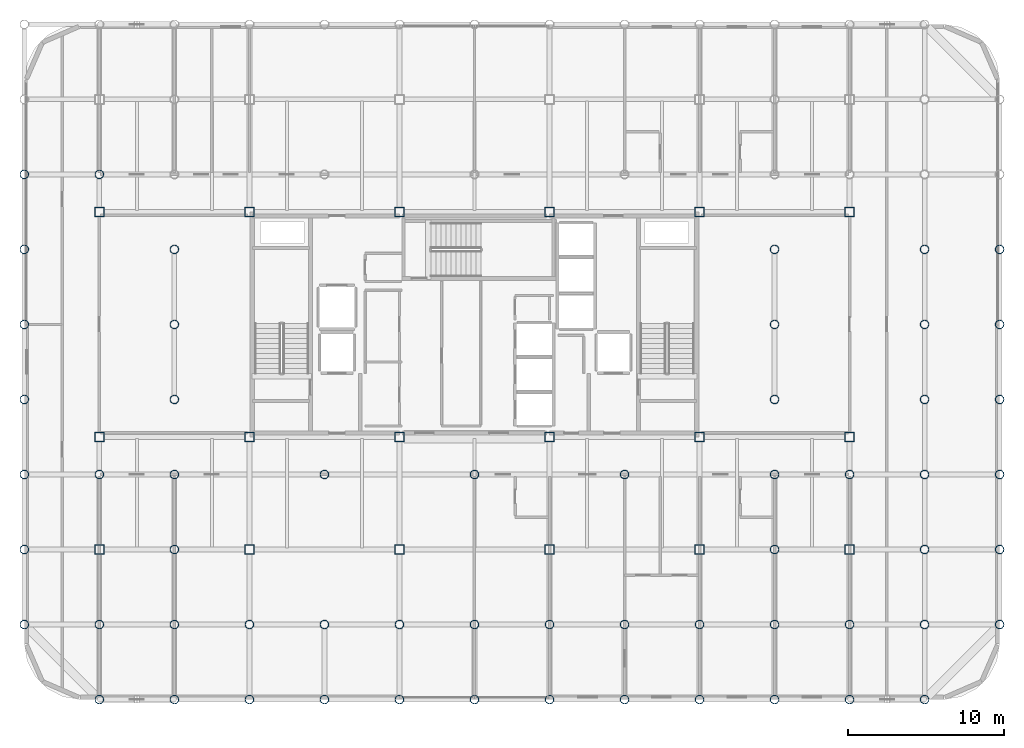
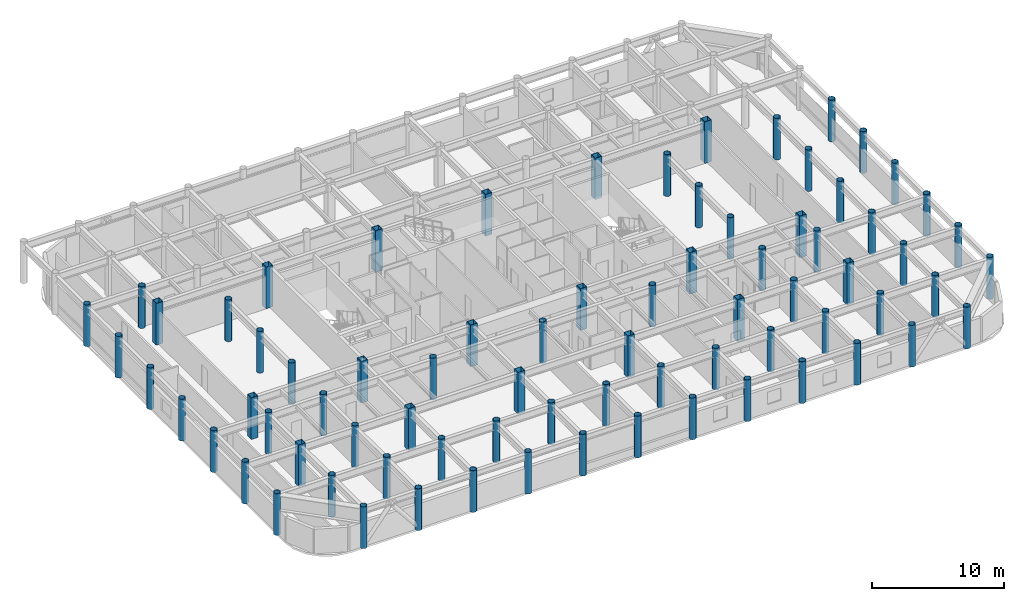
# One storey, part 1 of 21: 76 columns.
"""IFC4 building model written with IfcOpenShell, lengths in metres."""

from ifc_helpers import new_model, si_unit, direction, frame, origin, origin_2d, place, context, subcontext, project, spatial, hollow_rectangle, hollow_circle, extrude, material, material_profile, profile_set, type_object, element, save


model = new_model("IFC4")

# Units and contexts
model_context = context("Model", 3, precision=1e-05, world=origin(), true_north=direction((0.0, 1.0)))
body_context = subcontext(model_context, "Body", "Model", "MODEL_VIEW")
ifc_project = project(units=[si_unit("LENGTHUNIT", "METRE"), si_unit("AREAUNIT", "SQUARE_METRE"), si_unit("VOLUMEUNIT", "CUBIC_METRE"), si_unit("PLANEANGLEUNIT", "RADIAN"), si_unit("MASSUNIT", "GRAM", prefix="KILO")], contexts=[model_context])

# Site, building, storey
site_placement = place(None, origin())
site = spatial("IfcSite", under=ifc_project, at=site_placement, CompositionType="ELEMENT")
building_placement = place(site_placement, origin())
building = spatial("IfcBuilding", under=site, at=building_placement, Name="Kallvorn Hotel Tower", CompositionType="ELEMENT")
storey_placement = place(building_placement, frame((0.0, 0.0, 210.75)))
storey = spatial("IfcBuildingStorey", under=building, at=storey_placement, Name="L52", CompositionType="ELEMENT", Elevation=210.75)

# Columns
ifc_material_1 = material(Name="Structural steel S355J2H", Category="steel")
ifc_material_profile_1 = material_profile(ifc_material_1, hollow_circle(Radius=0.279541015625, WallThickness=0.02490234375, at=origin_2d()), Name="CHS 559x25")
ifc_profile_set_1 = profile_set([ifc_material_profile_1], Name="Structural steel S355J2H")
column_type_1 = type_object("IfcColumnType", Name="COL_CHS_559", PredefinedType="COLUMN", material=ifc_profile_set_1)
for number, where, z_axis, x_axis, name in (
    (1, (-28.800048828125, -19.199951171875, 0.0), (0.0, 0.0, 1.0), (1.0, 0.0, 0.0), "L52 Exoskeleton Column EC01"),
    (2, (-28.800048828125, -14.39990234375, 0.0), (0.0, 0.0, 1.0), (1.0, 0.0, 0.0), "L52 Exoskeleton Column EC02"),
    (3, (-28.800048828125, -9.60009765625, 0.0), (0.0, 0.0, 1.0), (1.0, 0.0, 0.0), "L52 Exoskeleton Column EC03"),
    (4, (-28.800048828125, -4.800048828125, 0.0), (0.0, 0.0, 1.0), (1.0, 0.0, 0.0), "L52 Exoskeleton Column EC04"),
    (5, (-28.800048828125, 0.0, 0.0), (0.0, 0.0, 1.0), (1.0, 0.0, 0.0), "L52 Exoskeleton Column EC05"),
    (6, (-28.800048828125, 4.800048828125, 0.0), (0.0, 0.0, 1.0), (1.0, 0.0, 0.0), "L52 Exoskeleton Column EC06"),
    (7, (-28.800048828125, 9.60009765625, 0.0), (0.0, 0.0, 1.0), (1.0, 0.0, 0.0), "L52 Exoskeleton Column EC07"),
    (8, (-24.0, -24.0, 0.0), (0.0, 0.0, 1.0), (1.0, 0.0, 0.0), "L52 Exoskeleton Column EC10"),
    (9, (-24.0, -19.199951171875, 0.0), (0.0, 0.0, 1.0), (1.0, 0.0, 0.0), "L52 Exoskeleton Column EC11"),
    (10, (-24.0, -9.60009765625, 0.0), (0.0, 0.0, 1.0), (1.0, 0.0, 0.0), "L52 Exoskeleton Column EC12"),
    (11, (-24.0, 9.60009765625, 0.0), (0.0, 0.0, 1.0), (1.0, 0.0, 0.0), "L52 Exoskeleton Column EC13"),
    (12, (-19.199951171875, -24.0, 0.0), (0.0, 0.0, 1.0), (1.0, 0.0, 0.0), "L52 Exoskeleton Column EC15"),
    (13, (-19.199951171875, -19.199951171875, 0.0), (0.0, 0.0, 1.0), (1.0, 0.0, 0.0), "L52 Exoskeleton Column EC16"),
    (14, (-19.199951171875, -14.39990234375, 0.0), (0.0, 0.0, 1.0), (1.0, 0.0, 0.0), "L52 Exoskeleton Column EC17"),
    (15, (-19.199951171875, -9.60009765625, 0.0), (0.0, 0.0, 1.0), (1.0, 0.0, 0.0), "L52 Exoskeleton Column EC18"),
    (16, (-19.199951171875, -4.800048828125, 0.0), (0.0, 0.0, 1.0), (1.0, 0.0, 0.0), "L52 Exoskeleton Column EC19"),
    (17, (-19.199951171875, 0.0, 0.0), (0.0, 0.0, 1.0), (1.0, 0.0, 0.0), "L52 Exoskeleton Column EC20"),
    (18, (-19.199951171875, 4.800048828125, 0.0), (0.0, 0.0, 1.0), (1.0, 0.0, 0.0), "L52 Exoskeleton Column EC21"),
    (19, (-14.39990234375, -24.0, 0.0), (0.0, 0.0, 1.0), (1.0, 0.0, 0.0), "L52 Exoskeleton Column EC25"),
    (20, (-14.39990234375, -19.199951171875, 0.0), (0.0, 0.0, 1.0), (1.0, 0.0, 0.0), "L52 Exoskeleton Column EC26"),
    (21, (-9.60009765625, -24.0, 0.0), (0.0, 0.0, 1.0), (1.0, 0.0, 0.0), "L52 Exoskeleton Column EC28"),
    (22, (-9.60009765625, -19.199951171875, 0.0), (0.0, 0.0, 1.0), (1.0, 0.0, 0.0), "L52 Exoskeleton Column EC29"),
    (23, (-9.60009765625, -9.60009765625, 0.0), (0.0, 0.0, 1.0), (1.0, 0.0, 0.0), "L52 Exoskeleton Column EC30"),
    (24, (-4.800048828125, -24.0, 0.0), (0.0, 0.0, 1.0), (1.0, 0.0, 0.0), "L52 Exoskeleton Column EC33"),
    (25, (-4.800048828125, -19.199951171875, 0.0), (0.0, 0.0, 1.0), (1.0, 0.0, 0.0), "L52 Exoskeleton Column EC34"),
    (26, (0.0, -24.0, 0.0), (0.0, 0.0, 1.0), (1.0, 0.0, 0.0), "L52 Exoskeleton Column EC36"),
    (27, (0.0, -19.199951171875, 0.0), (0.0, 0.0, 1.0), (1.0, 0.0, 0.0), "L52 Exoskeleton Column EC37"),
    (28, (0.0, -9.60009765625, 0.0), (0.0, 0.0, 1.0), (1.0, 0.0, 0.0), "L52 Exoskeleton Column EC38"),
    (29, (4.800048828125, -24.0, 0.0), (0.0, 0.0, 1.0), (1.0, 0.0, 0.0), "L52 Exoskeleton Column EC41"),
    (30, (4.800048828125, -19.199951171875, 0.0), (0.0, 0.0, 1.0), (1.0, 0.0, 0.0), "L52 Exoskeleton Column EC42"),
    (31, (9.60009765625, -24.0, 0.0), (0.0, 0.0, 1.0), (1.0, 0.0, 0.0), "L52 Exoskeleton Column EC44"),
    (32, (9.60009765625, -19.199951171875, 0.0), (0.0, 0.0, 1.0), (1.0, 0.0, 0.0), "L52 Exoskeleton Column EC45"),
    (33, (9.60009765625, -9.60009765625, 0.0), (0.0, 0.0, 1.0), (1.0, 0.0, 0.0), "L52 Exoskeleton Column EC46"),
    (34, (14.39990234375, -24.0, 0.0), (0.0, 0.0, 1.0), (1.0, 0.0, 0.0), "L52 Exoskeleton Column EC49"),
    (35, (14.39990234375, -19.199951171875, 0.0), (0.0, 0.0, 1.0), (1.0, 0.0, 0.0), "L52 Exoskeleton Column EC50"),
    (36, (19.199951171875, -24.0, 0.0), (0.0, 0.0, 1.0), (1.0, 0.0, 0.0), "L52 Exoskeleton Column EC52"),
    (37, (19.199951171875, -19.199951171875, 0.0), (0.0, 0.0, 1.0), (1.0, 0.0, 0.0), "L52 Exoskeleton Column EC53"),
    (38, (19.199951171875, -14.39990234375, 0.0), (0.0, 0.0, 1.0), (1.0, 0.0, 0.0), "L52 Exoskeleton Column EC54"),
    (39, (19.199951171875, -9.60009765625, 0.0), (0.0, 0.0, 1.0), (1.0, 0.0, 0.0), "L52 Exoskeleton Column EC55"),
    (40, (19.199951171875, -4.800048828125, 0.0), (0.0, 0.0, 1.0), (1.0, 0.0, 0.0), "L52 Exoskeleton Column EC56"),
    (41, (19.199951171875, 0.0, 0.0), (0.0, 0.0, 1.0), (1.0, 0.0, 0.0), "L52 Exoskeleton Column EC57"),
    (42, (19.199951171875, 4.800048828125, 0.0), (0.0, 0.0, 1.0), (1.0, 0.0, 0.0), "L52 Exoskeleton Column EC58"),
    (43, (24.0, -24.0, 0.0), (0.0, 0.0, 1.0), (1.0, 0.0, 0.0), "L52 Exoskeleton Column EC62"),
    (44, (24.0, -19.199951171875, 0.0), (0.0, 0.0, 1.0), (1.0, 0.0, 0.0), "L52 Exoskeleton Column EC63"),
    (45, (24.0, -9.60009765625, 0.0), (0.0, 0.0, 1.0), (1.0, 0.0, 0.0), "L52 Exoskeleton Column EC64"),
    (46, (28.800048828125, -24.0, 0.0), (0.0, 0.0, 1.0), (1.0, 0.0, 0.0), "L52 Exoskeleton Column EC67"),
    (47, (28.800048828125, -19.199951171875, 0.0), (0.0, 0.0, 1.0), (1.0, 0.0, 0.0), "L52 Exoskeleton Column EC68"),
    (48, (28.800048828125, -14.39990234375, 0.0), (0.0, 0.0, 1.0), (1.0, 0.0, 0.0), "L52 Exoskeleton Column EC69"),
    (49, (28.800048828125, -9.60009765625, 0.0), (0.0, 0.0, 1.0), (1.0, 0.0, 0.0), "L52 Exoskeleton Column EC70"),
    (50, (28.800048828125, -4.800048828125, 0.0), (0.0, 0.0, 1.0), (1.0, 0.0, 0.0), "L52 Exoskeleton Column EC71"),
    (51, (28.800048828125, 0.0, 0.0), (0.0, 0.0, 1.0), (1.0, 0.0, 0.0), "L52 Exoskeleton Column EC72"),
    (52, (28.800048828125, 4.800048828125, 0.0), (0.0, 0.0, 1.0), (1.0, 0.0, 0.0), "L52 Exoskeleton Column EC73"),
    (53, (33.60009765625, -19.199951171875, 0.0), (0.0, 0.0, 1.0), (1.0, 0.0, 0.0), "L52 Exoskeleton Column EC77"),
    (54, (33.60009765625, -14.39990234375, 0.0), (0.0, 0.0, 1.0), (1.0, 0.0, 0.0), "L52 Exoskeleton Column EC78"),
    (55, (33.60009765625, -9.60009765625, 0.0), (0.0, 0.0, 1.0), (1.0, 0.0, 0.0), "L52 Exoskeleton Column EC79"),
    (56, (33.60009765625, -4.800048828125, 0.0), (0.0, 0.0, 1.0), (1.0, 0.0, 0.0), "L52 Exoskeleton Column EC80"),
    (57, (33.60009765625, 0.0, 0.0), (0.0, 0.0, 1.0), (1.0, 0.0, 0.0), "L52 Exoskeleton Column EC81"),
    (58, (33.60009765625, 4.800048828125, 0.0), (0.0, 0.0, 1.0), (1.0, 0.0, 0.0), "L52 Exoskeleton Column EC82"),
):
    element("IfcColumn", number, at=place(storey_placement, frame(where, z_axis=z_axis, x_axis=x_axis)), inside=storey, type_object=column_type_1, Name=name, PredefinedType="COLUMN", context=body_context, shape_type="SweptSolid", body=[
        extrude(hollow_circle(Radius=0.279541015625, WallThickness=0.02490234375, at=origin_2d()), origin(), (0.0, 0.0, 1.0), 3.85009765625),
    ])
ifc_material_2 = material(Name="Structural steel S355J2H", Category="steel")
ifc_material_profile_2 = material_profile(ifc_material_2, hollow_rectangle(XDim=0.60009765625, YDim=0.60009765625, WallThickness=0.028076171875, at=origin_2d()), Name="RHS 600x600x28")
ifc_profile_set_2 = profile_set([ifc_material_profile_2], Name="Structural steel S355J2H")
column_type_2 = type_object("IfcColumnType", Name="COL_RHS_600", PredefinedType="COLUMN", material=ifc_profile_set_2)
for number, where, z_axis, x_axis, name in (
    (59, (-24.0, -14.39990234375, 0.0), (0.0, 0.0, 1.0), (1.0, 0.0, 0.0), "L52 Inner Column IC01"),
    (60, (-24.0, -7.199951171875, 0.0), (0.0, 0.0, 1.0), (1.0, 0.0, 0.0), "L52 Inner Column IC02"),
    (61, (-24.0, 7.199951171875, 0.0), (0.0, 0.0, 1.0), (1.0, 0.0, 0.0), "L52 Inner Column IC03"),
    (62, (-14.39990234375, -14.39990234375, 0.0), (0.0, 0.0, 1.0), (1.0, 0.0, 0.0), "L52 Inner Column IC05"),
    (63, (-14.39990234375, -7.199951171875, 0.0), (0.0, 0.0, 1.0), (1.0, 0.0, 0.0), "L52 Inner Column IC06"),
    (64, (-14.39990234375, 7.199951171875, 0.0), (0.0, 0.0, 1.0), (1.0, 0.0, 0.0), "L52 Inner Column IC07"),
    (65, (-4.800048828125, -14.39990234375, 0.0), (0.0, 0.0, 1.0), (1.0, 0.0, 0.0), "L52 Inner Column IC09"),
    (66, (-4.800048828125, -7.199951171875, 0.0), (0.0, 0.0, 1.0), (1.0, 0.0, 0.0), "L52 Inner Column IC10"),
    (67, (-4.800048828125, 7.199951171875, 0.0), (0.0, 0.0, 1.0), (1.0, 0.0, 0.0), "L52 Inner Column IC11"),
    (68, (4.800048828125, -14.39990234375, 0.0), (0.0, 0.0, 1.0), (1.0, 0.0, 0.0), "L52 Inner Column IC13"),
    (69, (4.800048828125, -7.199951171875, 0.0), (0.0, 0.0, 1.0), (1.0, 0.0, 0.0), "L52 Inner Column IC14"),
    (70, (4.800048828125, 7.199951171875, 0.0), (0.0, 0.0, 1.0), (1.0, 0.0, 0.0), "L52 Inner Column IC15"),
    (71, (14.39990234375, -14.39990234375, 0.0), (0.0, 0.0, 1.0), (1.0, 0.0, 0.0), "L52 Inner Column IC17"),
    (72, (14.39990234375, -7.199951171875, 0.0), (0.0, 0.0, 1.0), (1.0, 0.0, 0.0), "L52 Inner Column IC18"),
    (73, (14.39990234375, 7.199951171875, 0.0), (0.0, 0.0, 1.0), (1.0, 0.0, 0.0), "L52 Inner Column IC19"),
    (74, (24.0, -14.39990234375, 0.0), (0.0, 0.0, 1.0), (1.0, 0.0, 0.0), "L52 Inner Column IC21"),
    (75, (24.0, -7.199951171875, 0.0), (0.0, 0.0, 1.0), (1.0, 0.0, 0.0), "L52 Inner Column IC22"),
    (76, (24.0, 7.199951171875, 0.0), (0.0, 0.0, 1.0), (1.0, 0.0, 0.0), "L52 Inner Column IC23"),
):
    element("IfcColumn", number, at=place(storey_placement, frame(where, z_axis=z_axis, x_axis=x_axis)), inside=storey, type_object=column_type_2, Name=name, PredefinedType="COLUMN", context=body_context, shape_type="SweptSolid", body=[
        extrude(hollow_rectangle(XDim=0.60009765625, YDim=0.60009765625, WallThickness=0.028076171875, at=origin_2d()), origin(), (0.0, 0.0, 1.0), 3.85009765625),
    ])

save(model, "model.ifc")
